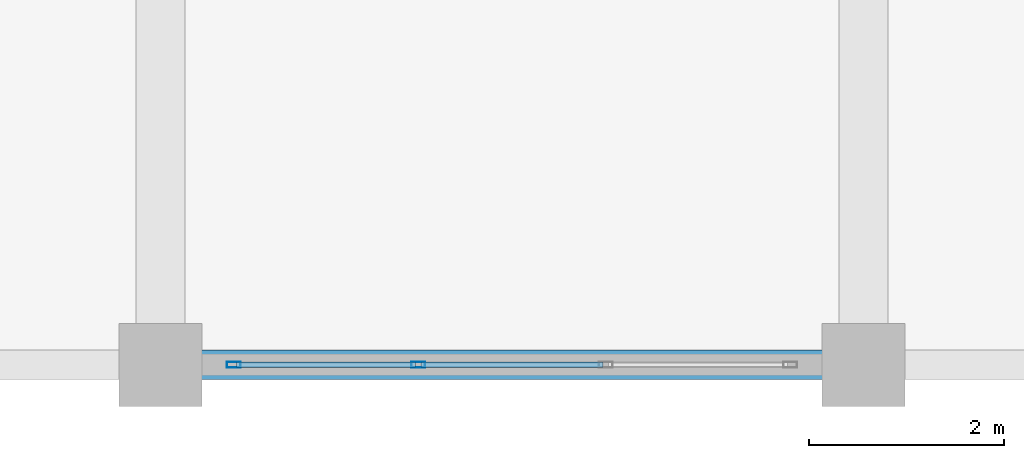
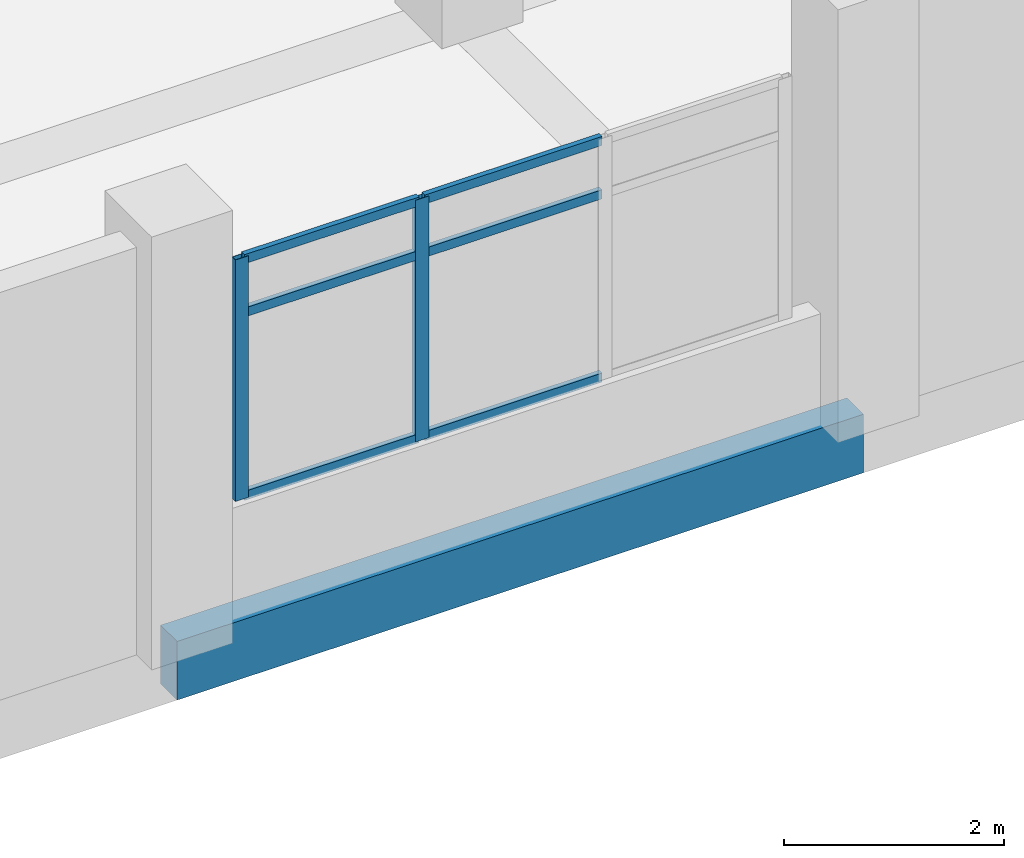
# One storey, part 43 of 181: 8 members, 1 beam, 1 element without a shape of its own.
"""IFC4 building model written with IfcOpenShell, lengths in metres."""

from ifc_helpers import new_model, si_unit, direction, frame, origin, origin_2d, place, context, subcontext, project, spatial, rectangle, hollow_rectangle, extrude, material, layer, layer_set, material_profile, profile_set, type_object, element, aggregate, save


model = new_model("IFC4")

# Units and contexts
model_context = context("Model", 3, precision=1e-05, world=origin(), true_north=direction((0.0, 1.0)))
body_context = subcontext(model_context, "Body", "Model", "MODEL_VIEW")
ifc_project = project(units=[si_unit("LENGTHUNIT", "METRE"), si_unit("AREAUNIT", "SQUARE_METRE"), si_unit("VOLUMEUNIT", "CUBIC_METRE"), si_unit("PLANEANGLEUNIT", "RADIAN"), si_unit("MASSUNIT", "GRAM", prefix="KILO")], contexts=[model_context])

# Site, building, storey
site_placement = place(None, origin())
site = spatial("IfcSite", under=ifc_project, at=site_placement, CompositionType="ELEMENT")
building_placement = place(site_placement, origin())
building = spatial("IfcBuilding", under=site, at=building_placement, Name="Seraya Terrace Polytechnic", CompositionType="ELEMENT")
storey_placement = place(building_placement, frame((0.0, 0.0, 4.800048828125)))
storey = spatial("IfcBuildingStorey", under=building, at=storey_placement, Name="L01", CompositionType="ELEMENT", Elevation=4.800048828125)

# Curtain wall, members
ifc_material_1 = material(Name="Anodised aluminium EN AW-6063 T6", Category="aluminium")
ifc_layer = layer(ifc_material_1, 0.179931640625, Name="CW-30")
ifc_layer_set = layer_set([ifc_layer], Name="Anodised aluminium EN AW-6063 T6")
curtain_wall_type = type_object("IfcCurtainWallType", Name="CW-30", PredefinedType="NOTDEFINED", material=ifc_layer_set)
curtain_wall_placement = place(storey_placement, origin())
curtain_wall = element("IfcCurtainWall", 1, at=curtain_wall_placement, inside=storey, type_object=curtain_wall_type, Name="Unitised curtain wall CW-30 (CW-L01-030)", PredefinedType="NOTDEFINED")
ifc_material_profile_1 = material_profile(ifc_material_1, hollow_rectangle(XDim=0.06005859375, YDim=0.139892578125, WallThickness=0.00341796875, at=origin_2d()), Name="RHS 140x60x3.5")
ifc_profile_set_1 = profile_set([ifc_material_profile_1], Name="Anodised aluminium EN AW-6063 T6")
member_type_1 = type_object("IfcMemberType", Name="CWM-03", PredefinedType="MULLION", material=ifc_profile_set_1)
member_1_placement = place(storey_placement, frame((117.840087890625, 0.0, 1.239990234375), z_axis=(0.0, 0.0, 1.0), x_axis=(0.0, -1.0, 0.0)))
member_1 = element("IfcMember", 2, at=member_1_placement, type_object=member_type_1, Name="CW-30 mullion 3", PredefinedType="MULLION", context=body_context, shape_type="SweptSolid", body=[
    extrude(hollow_rectangle(XDim=0.06005859375, YDim=0.139892578125, WallThickness=0.00341796875, at=origin_2d()), origin(), (0.0, 0.0, 1.0), 2.679931640625),
])
member_2_placement = place(storey_placement, frame((115.949951171875, 0.0, 1.239990234375), z_axis=(0.0, 0.0, 1.0), x_axis=(0.0, -1.0, 0.0)))
member_2 = element("IfcMember", 3, at=member_2_placement, type_object=member_type_1, Name="CW-30 mullion 4", PredefinedType="MULLION", context=body_context, shape_type="SweptSolid", body=[
    extrude(hollow_rectangle(XDim=0.06005859375, YDim=0.139892578125, WallThickness=0.00341796875, at=origin_2d()), origin(), (0.0, 0.0, 1.0), 2.679931640625),
])
ifc_material_profile_2 = material_profile(ifc_material_1, hollow_rectangle(XDim=0.054931640625, YDim=0.10009765625, WallThickness=0.0029296875, at=origin_2d()), Name="RHS 100x55x3.0")
ifc_profile_set_2 = profile_set([ifc_material_profile_2], Name="Anodised aluminium EN AW-6063 T6")
member_type_2 = type_object("IfcMemberType", Name="CWT-03", PredefinedType="USERDEFINED", material=ifc_profile_set_2)
member_3_placement = place(storey_placement, frame((119.72998046875, 0.0, 1.267333984375), z_axis=(-1.0, 0.0, 0.0), x_axis=(0.0, -1.0, 0.0)))
member_3 = element("IfcMember", 4, at=member_3_placement, type_object=member_type_2, Name="CW-30 transom 2.1", ObjectType="TRANSOM", PredefinedType="USERDEFINED", context=body_context, shape_type="SweptSolid", body=[
    extrude(hollow_rectangle(XDim=0.054931640625, YDim=0.10009765625, WallThickness=0.0029296875, at=origin_2d()), origin(), (0.0, 0.0, 1.0), 1.85986328125),
])
member_4_placement = place(storey_placement, frame((119.72998046875, 0.0, 3.300048828125), z_axis=(-1.0, 0.0, 0.0), x_axis=(0.0, -1.0, 0.0)))
member_4 = element("IfcMember", 5, at=member_4_placement, type_object=member_type_2, Name="CW-30 transom 2.2", ObjectType="TRANSOM", PredefinedType="USERDEFINED", context=body_context, shape_type="SweptSolid", body=[
    extrude(hollow_rectangle(XDim=0.054931640625, YDim=0.10009765625, WallThickness=0.0029296875, at=origin_2d()), origin(), (0.0, 0.0, 1.0), 1.85986328125),
])
member_5_placement = place(storey_placement, frame((119.72998046875, 0.0, 3.892333984375), z_axis=(-1.0, 0.0, 0.0), x_axis=(0.0, -1.0, 0.0)))
member_5 = element("IfcMember", 6, at=member_5_placement, type_object=member_type_2, Name="CW-30 transom 2.3", ObjectType="TRANSOM", PredefinedType="USERDEFINED", context=body_context, shape_type="SweptSolid", body=[
    extrude(hollow_rectangle(XDim=0.054931640625, YDim=0.10009765625, WallThickness=0.0029296875, at=origin_2d()), origin(), (0.0, 0.0, 1.0), 1.85986328125),
])
member_6_placement = place(storey_placement, frame((117.81005859375, 0.0, 1.267333984375), z_axis=(-1.0, 0.0, 0.0), x_axis=(0.0, -1.0, 0.0)))
member_6 = element("IfcMember", 7, at=member_6_placement, type_object=member_type_2, Name="CW-30 transom 3.1", ObjectType="TRANSOM", PredefinedType="USERDEFINED", context=body_context, shape_type="SweptSolid", body=[
    extrude(hollow_rectangle(XDim=0.054931640625, YDim=0.10009765625, WallThickness=0.0029296875, at=origin_2d()), origin(), (0.0, 0.0, 1.0), 1.830078125),
])
member_7_placement = place(storey_placement, frame((117.81005859375, 0.0, 3.300048828125), z_axis=(-1.0, 0.0, 0.0), x_axis=(0.0, -1.0, 0.0)))
member_7 = element("IfcMember", 8, at=member_7_placement, type_object=member_type_2, Name="CW-30 transom 3.2", ObjectType="TRANSOM", PredefinedType="USERDEFINED", context=body_context, shape_type="SweptSolid", body=[
    extrude(hollow_rectangle(XDim=0.054931640625, YDim=0.10009765625, WallThickness=0.0029296875, at=origin_2d()), origin(), (0.0, 0.0, 1.0), 1.830078125),
])
member_8_placement = place(storey_placement, frame((117.81005859375, 0.0, 3.892333984375), z_axis=(-1.0, 0.0, 0.0), x_axis=(0.0, -1.0, 0.0)))
member_8 = element("IfcMember", 9, at=member_8_placement, type_object=member_type_2, Name="CW-30 transom 3.3", ObjectType="TRANSOM", PredefinedType="USERDEFINED", context=body_context, shape_type="SweptSolid", body=[
    extrude(hollow_rectangle(XDim=0.054931640625, YDim=0.10009765625, WallThickness=0.0029296875, at=origin_2d()), origin(), (0.0, 0.0, 1.0), 1.830078125),
])
aggregate(curtain_wall, [member_1, member_2, member_3, member_4, member_5, member_6, member_7, member_8])

# Beam
ifc_material_2 = material(Name="Concrete C40/50", Category="concrete")
ifc_material_profile_3 = material_profile(ifc_material_2, rectangle(XDim=0.300048828125, YDim=0.64990234375, at=origin_2d()), Name="RC 300x650")
ifc_profile_set_3 = profile_set([ifc_material_profile_3], Name="Concrete C40/50")
beam_type = type_object("IfcBeamType", Name="SP-01", PredefinedType="SPANDREL", material=ifc_profile_set_3)
beam_placement = place(storey_placement, frame((115.199951171875, 0.0, -0.324951171875), z_axis=(1.0, 0.0, 0.0), x_axis=(0.0, 1.0, 0.0)))
element("IfcBeam", 10, at=beam_placement, inside=storey, type_object=beam_type, Name="Beam SP-01 L01 X (115.2..122.4, 0.0)", PredefinedType="SPANDREL", context=body_context, shape_type="SweptSolid", body=[
    extrude(rectangle(XDim=0.300048828125, YDim=0.64990234375, at=origin_2d()), origin(), (0.0, 0.0, 1.0), 7.199951171875),
])

save(model, "model.ifc")
